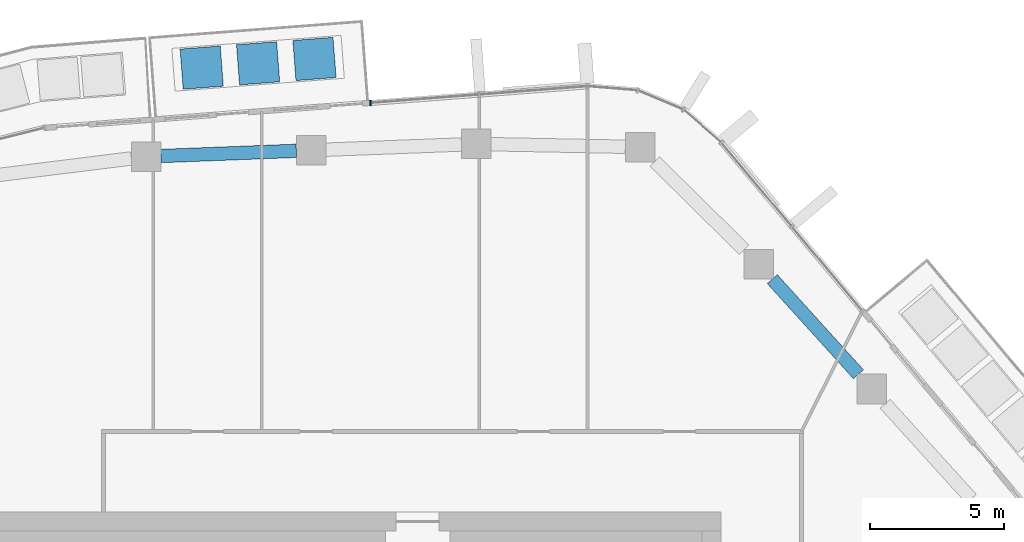
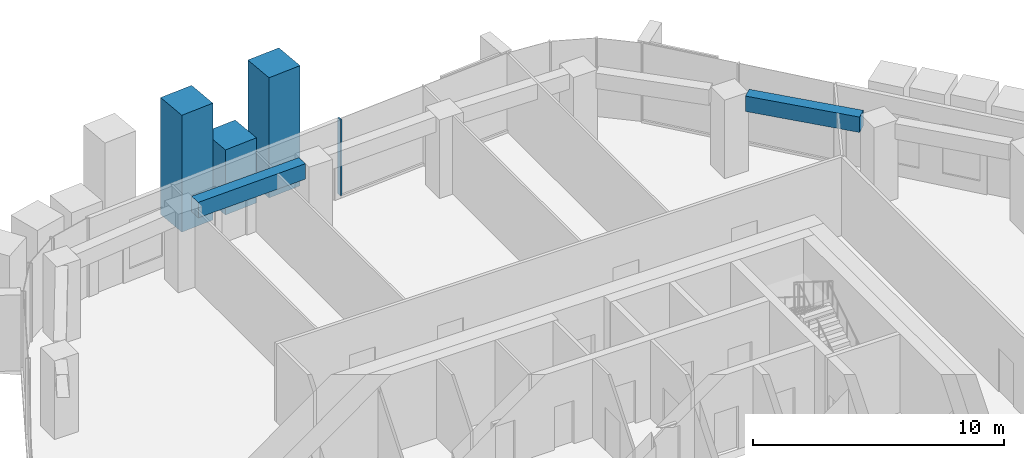
# One storey, part 7 of 20: 4 members, 2 beams, 1 element without a shape of its own.
"""IFC4 building model written with IfcOpenShell, lengths in metres."""

import ifcopenshell
import ifcopenshell.guid

model = None  # the IFC model being written
_history = None  # IfcOwnerHistory: only IFC2X3 demands one
_inside = {}  # id of a spatial element -> (the spatial element, [elements in it])
_under = {}  # id of a project, library or spatial element -> (it, [spatial elements below it])
_declared = {}  # id of a project -> (the project, [libraries it declares])
_typed = {}  # id of a type object -> (the type object, [elements of that type])
_made_of = {}  # id of a material, layer set ... -> (it, [elements and type objects made of it])


def new_model(schema):
    """Start an empty IFC model of exactly this schema.

    Asked for "IFC4X3", IfcOpenShell would pick the latest addendum, in which some entities
    have other attributes; the version numbers below select the first issue.
    IFC2X3 requires an IfcOwnerHistory on every rooted entity: one is made here for all.
    """
    global model, _history
    if schema == "IFC4X3":
        model = ifcopenshell.file(schema_version=(4, 3, 0, 0))
    else:
        model = ifcopenshell.file(schema=schema)
    _inside.clear()
    _under.clear()
    _declared.clear()
    _typed.clear()
    _made_of.clear()
    _history = None
    if model.schema == "IFC2X3":
        org = make("IfcOrganization", Name="unknown")
        user = make(
            "IfcPersonAndOrganization",
            ThePerson=make("IfcPerson", FamilyName="unknown"),
            TheOrganization=org,
        )
        app = make(
            "IfcApplication",
            ApplicationDeveloper=org,
            Version="unknown",
            ApplicationFullName="unknown",
            ApplicationIdentifier="unknown",
        )
        _history = make(
            "IfcOwnerHistory",
            OwningUser=user,
            OwningApplication=app,
            ChangeAction="ADDED",
            CreationDate=0,
        )
    return model


def make(cls, **values):
    """One entity of the class cls with the attributes given. An attribute that is None is left unset."""
    return model.create_entity(
        cls, **{name: value for name, value in values.items() if value is not None}
    )


def rooted(cls, **values):
    """An entity with a GlobalId (a new one), such as an element, a storey or a relation."""
    return make(cls, GlobalId=ifcopenshell.guid.new(), OwnerHistory=_history, **values)


def si_unit(unit_type, name, prefix=None):
    """IfcSIUnit, for example si_unit("LENGTHUNIT", "METRE", prefix="MILLI")."""
    return make("IfcSIUnit", UnitType=unit_type, Prefix=prefix, Name=name)


def assignment(units):
    """IfcUnitAssignment: the units of a project."""
    return None if units is None else make("IfcUnitAssignment", Units=units)


def point(xyz):
    """IfcCartesianPoint."""
    return None if xyz is None else make("IfcCartesianPoint", Coordinates=xyz)


def direction(xyz):
    """IfcDirection."""
    return None if xyz is None else make("IfcDirection", DirectionRatios=xyz)


def frame(location, z_axis=None, x_axis=None):
    """IfcAxis2Placement3D, a coordinate frame: its origin and axes. An axis left out is left unset."""
    return make(
        "IfcAxis2Placement3D",
        Location=point(location),
        Axis=direction(z_axis),
        RefDirection=direction(x_axis),
    )


def frame_2d(location, x_axis=None):
    """IfcAxis2Placement2D, a coordinate frame in the plane: its origin and x axis."""
    return make(
        "IfcAxis2Placement2D", Location=point(location), RefDirection=direction(x_axis)
    )


def origin():
    """The frame at (0, 0, 0) with its axes left unset."""
    return frame((0.0, 0.0, 0.0))


def origin_2d():
    """The frame at (0, 0) in the plane with its x axis left unset."""
    return frame_2d((0.0, 0.0))


def place(relative_to, where):
    """IfcLocalPlacement: puts the frame where relative to a parent placement (None: the world)."""
    return make(
        "IfcLocalPlacement", PlacementRelTo=relative_to, RelativePlacement=where
    )


def context(
    kind, dimensions, precision=None, world=None, true_north=None, identifier=None
):
    """IfcGeometricRepresentationContext, for example the 3D "Model" context."""
    return make(
        "IfcGeometricRepresentationContext",
        ContextIdentifier=identifier,
        ContextType=kind,
        CoordinateSpaceDimension=dimensions,
        Precision=precision,
        WorldCoordinateSystem=world,
        TrueNorth=true_north,
    )


def subcontext(parent, identifier, kind, view, scale=None):
    """IfcGeometricRepresentationSubContext, for example "Body" below "Model"."""
    return make(
        "IfcGeometricRepresentationSubContext",
        ContextIdentifier=identifier,
        ContextType=kind,
        ParentContext=parent,
        TargetScale=scale,
        TargetView=view,
    )


def project(units=None, contexts=None):
    """IfcProject with its units and contexts."""
    return rooted(
        "IfcProject",
        Name="project",
        RepresentationContexts=contexts,
        UnitsInContext=assignment(units),
    )


def spatial(cls, under=None, at=None, **own):
    """A site, building, storey or space (cls), placed at a placement, below another one or the project."""
    s = rooted(cls, ObjectPlacement=at, **own)
    if under is not None:
        _under.setdefault(under.id(), (under, []))[1].append(s)
    return s


def profile(cls, at=None, kind="AREA", **sizes):
    """A parametric profile (cls). Its sizes go by their IFC names, for example OverallWidth=200.0."""
    return make(cls, ProfileType=kind, Position=at, **sizes)


def rectangle(**sizes):
    """IfcRectangleProfileDef."""
    return profile("IfcRectangleProfileDef", **sizes)


def extrude(swept, where, along, depth):
    """IfcExtrudedAreaSolid: the profile swept, set in the frame where, extruded along a direction by depth."""
    return make(
        "IfcExtrudedAreaSolid",
        SweptArea=swept,
        Position=where,
        ExtrudedDirection=direction(along),
        Depth=depth,
    )


def shape(context_of_items, identifier, shape_type, items):
    """IfcShapeRepresentation: the items that make up one representation, for example the "Body"."""
    return make(
        "IfcShapeRepresentation",
        ContextOfItems=context_of_items,
        RepresentationIdentifier=identifier,
        RepresentationType=shape_type,
        Items=items,
    )


def material(Name=None, Category=None):
    """IfcMaterial."""
    return make("IfcMaterial", Name=Name, Category=Category)


def layer(
    of_material, thickness, ventilated=None, Name=None, Category=None, Priority=None
):
    """IfcMaterialLayer: one layer of a wall or slab, of a material (None: an air gap)."""
    return make(
        "IfcMaterialLayer",
        Material=of_material,
        LayerThickness=thickness,
        IsVentilated=ventilated,
        Name=Name,
        Category=Category,
        Priority=Priority,
    )


def layer_set(layers, Name=None):
    """IfcMaterialLayerSet."""
    return make("IfcMaterialLayerSet", MaterialLayers=layers, LayerSetName=Name)


def material_profile(
    of_material, cross_section, Name=None, Category=None, Priority=None
):
    """IfcMaterialProfile: a cross section and its material."""
    return make(
        "IfcMaterialProfile",
        Name=Name,
        Material=of_material,
        Profile=cross_section,
        Priority=Priority,
        Category=Category,
    )


def profile_set(profiles, Name=None, composite=None):
    """IfcMaterialProfileSet."""
    return make(
        "IfcMaterialProfileSet",
        Name=Name,
        MaterialProfiles=profiles,
        CompositeProfile=composite,
    )


def made_of(thing, what):
    """Note that an element or type object is made of a material, layer set ...; save() writes the relation."""
    if what is not None:
        _made_of.setdefault(what.id(), (what, []))[1].append(thing)
    return thing


def type_object(cls, material=None, **own):
    """A type object (cls), such as IfcWallType, which elements share."""
    return made_of(rooted(cls, **own), material)


def element(
    cls,
    number,
    at=None,
    inside=None,
    cuts=None,
    type_object=None,
    material=None,
    context=None,
    identifier="Body",
    shape_type=None,
    held_by="IfcProductDefinitionShape",
    body=None,
    shapes=None,
    **own,
):
    """One element of the class cls, such as IfcWall. Its Tag is "e" and its number.

    at: its placement. inside: the storey or other place that contains it. cuts: it is an
    opening in that element (IfcRelVoidsElement). A single representation is given by context,
    identifier, shape_type and body (its items); several are given by shapes. held_by: the class
    of the entity that holds the representations. save() writes the other relations.
    """
    e = rooted(cls, Tag="e%d" % number, ObjectPlacement=at, **own)
    if body is not None:
        shapes = [shape(context, identifier, shape_type, body)]
    if shapes is not None:
        e.Representation = make(held_by, Representations=shapes)
    if inside is not None:
        _inside.setdefault(inside.id(), (inside, []))[1].append(e)
    if cuts is not None:
        rooted(
            "IfcRelVoidsElement", RelatingBuildingElement=cuts, RelatedOpeningElement=e
        )
    if type_object is not None:
        _typed.setdefault(type_object.id(), (type_object, []))[1].append(e)
    return made_of(e, material)


def aggregate(whole, parts):
    """IfcRelAggregates: a whole, such as a stair, and the parts it consists of."""
    return rooted("IfcRelAggregates", RelatingObject=whole, RelatedObjects=parts)


def save(model, path):
    """Write the relations noted so far, then the file.

    IfcRelAggregates (storeys below a building ...), IfcRelContainedInSpatialStructure (elements
    in a storey), IfcRelDefinesByType, IfcRelAssociatesMaterial and IfcRelDeclares: one each for
    every whole, place, type object, material and project.
    """
    for whole, parts in _under.values():
        aggregate(whole, parts)
    for where, things in _inside.values():
        rooted(
            "IfcRelContainedInSpatialStructure",
            RelatedElements=things,
            RelatingStructure=where,
        )
    for kind, things in _typed.values():
        rooted("IfcRelDefinesByType", RelatedObjects=things, RelatingType=kind)
    for what, things in _made_of.values():
        rooted("IfcRelAssociatesMaterial", RelatedObjects=things, RelatingMaterial=what)
    for by, libraries in _declared.values():
        rooted("IfcRelDeclares", RelatingContext=by, RelatedDefinitions=libraries)
    model.write(path)


model = new_model("IFC4")

# Units and contexts
model_context = context("Model", 3, precision=1e-05, world=origin(), true_north=direction((0.0, 1.0)))
body_context = subcontext(model_context, "Body", "Model", "MODEL_VIEW")
ifc_project = project(units=[si_unit("LENGTHUNIT", "METRE"), si_unit("AREAUNIT", "SQUARE_METRE"), si_unit("VOLUMEUNIT", "CUBIC_METRE"), si_unit("PLANEANGLEUNIT", "RADIAN"), si_unit("MASSUNIT", "GRAM", prefix="KILO")], contexts=[model_context])

# Site, building, storey
site_placement = place(None, origin())
site = spatial("IfcSite", under=ifc_project, at=site_placement, CompositionType="ELEMENT")
building_placement = place(site_placement, origin())
building = spatial("IfcBuilding", under=site, at=building_placement, Name="Dongbaek Canopy Tower", CompositionType="ELEMENT")
storey_placement = place(building_placement, frame((0.0, 0.0, 249.60009765625)))
storey = spatial("IfcBuildingStorey", under=building, at=storey_placement, Name="L52", CompositionType="ELEMENT", Elevation=249.60009765625)

# Curtain wall, member
ifc_material_1 = material(Name="Aluminium 6063-T6 pale anodised", Category="aluminium")
ifc_layer = layer(ifc_material_1, 0.199951171875)
ifc_layer_set = layer_set([ifc_layer], Name="CW-1 unitised tower curtain wall")
curtain_wall_type = type_object("IfcCurtainWallType", Name="CW-1 unitised tower curtain wall", PredefinedType="NOTDEFINED", material=ifc_layer_set)
curtain_wall_placement = place(storey_placement, origin())
curtain_wall = element("IfcCurtainWall", 1, at=curtain_wall_placement, inside=storey, type_object=curtain_wall_type, Name="CW-1 curtain wall F1.1", PredefinedType="NOTDEFINED")
ifc_material_2 = material(Name="Aluminium 6063-T6 pale anodised", Category="aluminium")
ifc_material_profile_1 = material_profile(ifc_material_2, rectangle(XDim=0.199951171875, YDim=0.06005859375, at=origin_2d()), Name="CW-1 mullion 60 x 200")
ifc_profile_set_1 = profile_set([ifc_material_profile_1], Name="Aluminium 6063-T6 pale anodised")
member_type_1 = type_object("IfcMemberType", Name="CW-1 mullion 60 x 200", PredefinedType="MULLION", material=ifc_profile_set_1)
member_1_placement = place(storey_placement, frame((0.945068359375, 26.244873046875, 0.119873046875), z_axis=(0.0, 0.0, 1.0), x_axis=(-0.076518262748, 0.997068179949, 0.0)))
member_1 = element("IfcMember", 2, at=member_1_placement, type_object=member_type_1, Name="CW-1 mullion F1.1.3", PredefinedType="MULLION", context=body_context, shape_type="SweptSolid", body=[
    extrude(rectangle(XDim=0.199951171875, YDim=0.06005859375, at=origin_2d()), origin(), (0.0, 0.0, 1.0), 3.699951171875),
])
aggregate(curtain_wall, [member_1])

# Beams
ifc_material_3 = material(Name="Concrete C70", Category="concrete")
ifc_material_profile_2 = material_profile(ifc_material_3, rectangle(XDim=0.5, YDim=0.75, at=origin_2d()), Name="RC EDGE BEAM 500x750 C70")
ifc_profile_set_2 = profile_set([ifc_material_profile_2], Name="Concrete C70")
beam_type = type_object("IfcBeamType", Name="RC EDGE BEAM 500x750 C70", PredefinedType="BEAM", material=ifc_profile_set_2)
beam_1_placement = place(storey_placement, frame((-6.864990234375, 24.26416015625, 3.44482421875), z_axis=(0.999263812988, 0.038364463397, 0.0), x_axis=(-0.038364463397, 0.999263812988, 0.0)))
element("IfcBeam", 3, at=beam_1_placement, inside=storey, type_object=beam_type, Name="EDGEBEAM:L52:14", PredefinedType="BEAM", context=body_context, shape_type="SweptSolid", body=[
    extrude(rectangle(XDim=0.5, YDim=0.75, at=origin_2d()), origin(), (0.0, 0.0, 1.0), 5.052734375),
])
beam_2_placement = place(storey_placement, frame((15.916015625, 19.678955078125, 3.44482421875), z_axis=(0.671330225436, -0.741158369322, 0.0), x_axis=(0.741158369322, 0.671330225436, 0.0)))
element("IfcBeam", 4, at=beam_2_placement, inside=storey, type_object=beam_type, Name="EDGEBEAM:L52:18", PredefinedType="BEAM", context=body_context, shape_type="SweptSolid", body=[
    extrude(rectangle(XDim=0.5, YDim=0.75, at=origin_2d()), origin(), (0.0, 0.0, 1.0), 4.782958984375),
])

# Members
ifc_material_4 = material(Name="Concrete C40/50 planter mass with planting", Category="concrete")
ifc_material_profile_3 = material_profile(ifc_material_4, rectangle(XDim=1.5, YDim=1.5, at=origin_2d()), Name="Terrace PLANTER shrub mass 1500 x 1500")
ifc_profile_set_3 = profile_set([ifc_material_profile_3], Name="Concrete C40/50 planter mass with planting")
member_type_2 = type_object("IfcMemberType", Name="Terrace PLANTER shrub mass 1500 x 1500", PredefinedType="USERDEFINED", material=ifc_profile_set_3)
member_2_placement = place(storey_placement, frame((-1.139892578125, 27.880126953125, 0.419921875), z_axis=(0.0, 0.0, 1.0), x_axis=(-0.076518262748, 0.997068179949, 0.0)))
element("IfcMember", 5, at=member_2_placement, inside=storey, type_object=member_type_2, Name="Planter tree L52 2.1", ObjectType="PLANTER", PredefinedType="USERDEFINED", context=body_context, shape_type="SweptSolid", body=[
    extrude(rectangle(XDim=1.5, YDim=1.5, at=origin_2d()), origin(), (0.0, 0.0, 1.0), 5.85009765625),
])
member_3_placement = place(storey_placement, frame((-3.240966796875, 27.718994140625, 0.419921875), z_axis=(0.0, 0.0, 1.0), x_axis=(-0.076518262748, 0.997068179949, 0.0)))
element("IfcMember", 6, at=member_3_placement, inside=storey, type_object=member_type_2, Name="Planter shrubs L52 2.2", ObjectType="PLANTER", PredefinedType="USERDEFINED", context=body_context, shape_type="SweptSolid", body=[
    extrude(rectangle(XDim=1.5, YDim=1.5, at=origin_2d()), origin(), (0.0, 0.0, 1.0), 3.169921875),
])
member_4_placement = place(storey_placement, frame((-5.342041015625, 27.5576171875, 0.419921875), z_axis=(0.0, 0.0, 1.0), x_axis=(-0.076518262748, 0.997068179949, 0.0)))
element("IfcMember", 7, at=member_4_placement, inside=storey, type_object=member_type_2, Name="Planter tree L52 2.3", ObjectType="PLANTER", PredefinedType="USERDEFINED", context=body_context, shape_type="SweptSolid", body=[
    extrude(rectangle(XDim=1.5, YDim=1.5, at=origin_2d()), origin(), (0.0, 0.0, 1.0), 5.68994140625),
])

save(model, "model.ifc")
